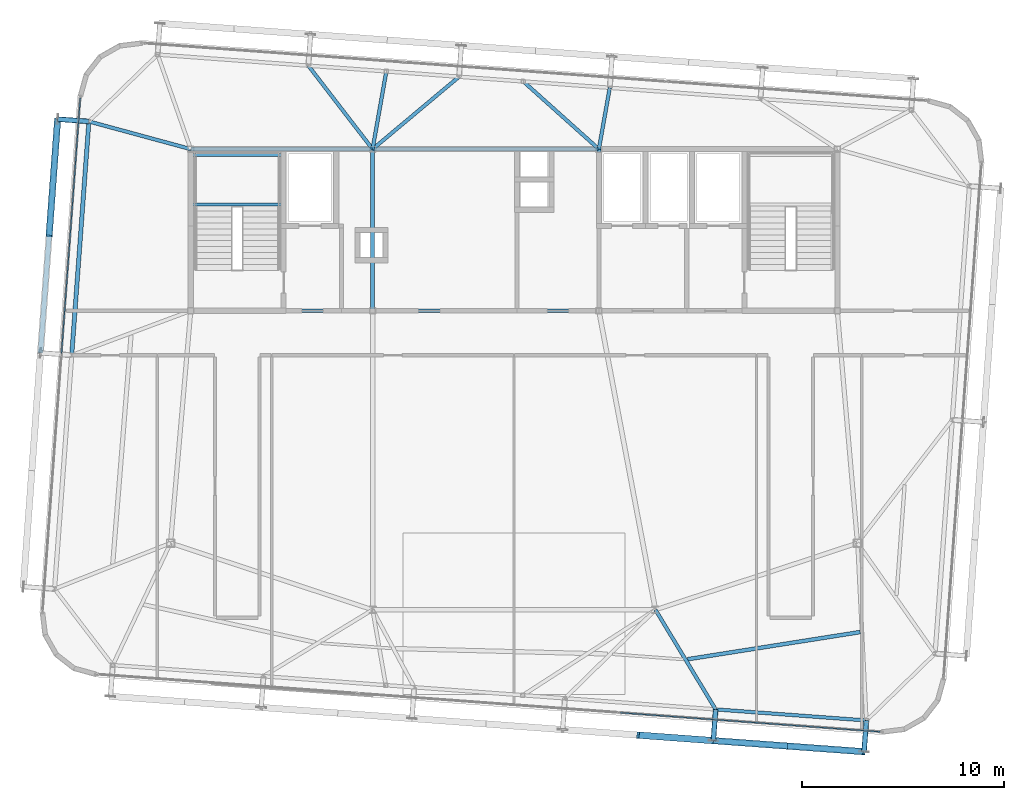
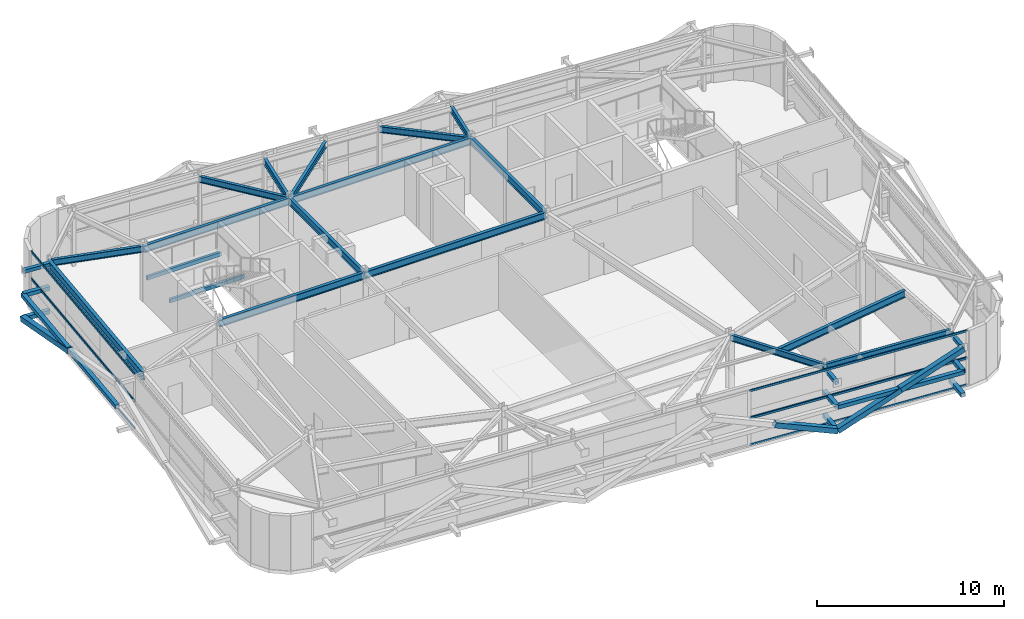
# One storey, part 14 of 35: 23 members, 18 beams, 4 elements without a shape of their own.
"""IFC4 building model written with IfcOpenShell, lengths in metres."""

from ifc_helpers import new_model, si_unit, direction, frame, origin, origin_2d, place, context, subcontext, project, spatial, hollow_rectangle, i_section, extrude, source, transform, mapped, material, layer, layer_set, material_profile, profile_set, type_object, element, aggregate, save


model = new_model("IFC4")

# Units and contexts
model_context = context("Model", 3, precision=1e-05, world=origin(), true_north=direction((0.0, 1.0)))
body_context = subcontext(model_context, "Body", "Model", "MODEL_VIEW")
ifc_project = project(units=[si_unit("LENGTHUNIT", "METRE"), si_unit("AREAUNIT", "SQUARE_METRE"), si_unit("VOLUMEUNIT", "CUBIC_METRE"), si_unit("PLANEANGLEUNIT", "RADIAN"), si_unit("MASSUNIT", "GRAM", prefix="KILO")], contexts=[model_context])

# Site, building, storey
site_placement = place(None, origin())
site = spatial("IfcSite", under=ifc_project, at=site_placement, CompositionType="ELEMENT")
building_placement = place(site_placement, origin())
building = spatial("IfcBuilding", under=site, at=building_placement, Name="Taldren Reach Tower", CompositionType="ELEMENT")
storey_placement = place(building_placement, frame((0.0, 0.0, 249.199951171875)))
storey = spatial("IfcBuildingStorey", under=building, at=storey_placement, Name="L76", CompositionType="ELEMENT", Elevation=249.199951171875)

# Beams
ifc_material_1 = material(Name="Steel Gr 350 (350PLUS)", Category="steel")
ifc_material_profile_1 = material_profile(ifc_material_1, i_section(OverallWidth=0.19091796875, OverallDepth=0.4599609375, WebThickness=0.010009765625, FlangeThickness=0.01611328125, at=origin_2d()), Name="460UB82.1")
ifc_profile_set_1 = profile_set([ifc_material_profile_1], Name="Steel Gr 350 (350PLUS)")
beam_type_1 = type_object("IfcBeamType", Name="BM-UB460A", PredefinedType="BEAM", material=ifc_profile_set_1)
shared_shape_1 = source(origin(), body_context, "Body", "SweptSolid", [
    extrude(i_section(OverallWidth=0.19091796875, OverallDepth=0.4599609375, WebThickness=0.010009765625, FlangeThickness=0.01611328125, at=origin_2d()), origin(), (0.0, 0.0, 1.0), 9.0),
])
for number, where, z_axis, x_axis, name in (
    (1, (19.0, 24.0, 3.340087890625), (1.0, 0.0, 0.0), (0.0, 1.0, 0.0), "Core-spine girder L76-SP01"),
    (2, (19.0, 32.0, 3.340087890625), (1.0, 0.0, 0.0), (0.0, 1.0, 0.0), "Core-spine girder L76-SP04"),
):
    element("IfcBeam", number, at=place(storey_placement, frame(where, z_axis=z_axis, x_axis=x_axis)), inside=storey, type_object=beam_type_1, Name=name, PredefinedType="BEAM", context=body_context, shape_type="MappedRepresentation", body=[
        mapped(shared_shape_1, transform((0.0, 0.0, 0.0), scale=1.0)),
    ])
shared_shape_2 = source(origin(), body_context, "Body", "SweptSolid", [
    extrude(i_section(OverallWidth=0.19091796875, OverallDepth=0.4599609375, WebThickness=0.010009765625, FlangeThickness=0.01611328125, at=origin_2d()), origin(), (0.0, 0.0, 1.0), 11.199951171875),
])
for number, where, z_axis, x_axis, name in (
    (3, (28.0, 24.0, 3.340087890625), (1.0, 0.0, 0.0), (0.0, 1.0, 0.0), "Core-spine girder L76-SP02"),
    (4, (28.0, 32.0, 3.340087890625), (1.0, 0.0, 0.0), (0.0, 1.0, 0.0), "Core-spine girder L76-SP05"),
):
    element("IfcBeam", number, at=place(storey_placement, frame(where, z_axis=z_axis, x_axis=x_axis)), inside=storey, type_object=beam_type_1, Name=name, PredefinedType="BEAM", context=body_context, shape_type="MappedRepresentation", body=[
        mapped(shared_shape_2, transform((0.0, 0.0, 0.0), scale=1.0)),
    ])
shared_shape_3 = source(origin(), body_context, "Body", "SweptSolid", [
    extrude(i_section(OverallWidth=0.19091796875, OverallDepth=0.4599609375, WebThickness=0.010009765625, FlangeThickness=0.01611328125, at=origin_2d()), origin(), (0.0, 0.0, 1.0), 8.0),
])
for number, where, z_axis, x_axis, name in (
    (5, (28.0, 24.0, 3.340087890625), (0.0, 1.0, 0.0), (-1.0, 0.0, 0.0), "Core-spine girder L76-SP07"),
    (6, (39.199951171875, 24.0, 3.340087890625), (0.0, 1.0, 0.0), (-1.0, 0.0, 0.0), "Core-spine girder L76-SP08"),
):
    element("IfcBeam", number, at=place(storey_placement, frame(where, z_axis=z_axis, x_axis=x_axis)), inside=storey, type_object=beam_type_1, Name=name, PredefinedType="BEAM", context=body_context, shape_type="MappedRepresentation", body=[
        mapped(shared_shape_3, transform((0.0, 0.0, 0.0), scale=1.0)),
    ])

# Members
ifc_material_2 = material(Name="Steel Gr 350 (C350L0)", Category="steel")
ifc_material_profile_2 = material_profile(ifc_material_2, hollow_rectangle(XDim=0.25, YDim=0.25, WallThickness=0.010009765625, at=origin_2d()), Name="250x250x10.0SHS")
ifc_profile_set_2 = profile_set([ifc_material_profile_2], Name="Steel Gr 350 (C350L0)")
member_type_1 = type_object("IfcMemberType", Name="MB-POST250", PredefinedType="POST", material=ifc_profile_set_2)
shared_shape_4 = source(origin(), body_context, "Body", "SweptSolid", [
    extrude(hollow_rectangle(XDim=0.25, YDim=0.25, WallThickness=0.010009765625, at=origin_2d()), origin(), (0.0, 0.0, 1.0), 1.550048828125),
])
for number, where, z_axis, x_axis, name in (
    (7, (44.980224609375, 4.26904296875, 0.219970703125), (-0.07323929162, -0.997314396849, 0.0), (0.997314396849, -0.07323929162, 0.0), "Exoskeleton base diaphragm tie strut B5-S5 L76"),
    (8, (52.440185546875, 3.72119140625, 0.219970703125), (-0.07323929162, -0.997314396849, 0.0), (0.997314396849, -0.07323929162, 0.0), "Exoskeleton base diaphragm tie strut B5-S6 L76"),
    (9, (44.980224609375, 4.26904296875, 1.755126953125), (-0.07323929162, -0.997314396849, 0.0), (0.997314396849, -0.07323929162, 0.0), "Exoskeleton mid-tier diaphragm tie B5-S5 L76"),
    (10, (52.440185546875, 3.72119140625, 1.755126953125), (-0.07323929162, -0.997314396849, 0.0), (0.997314396849, -0.07323929162, 0.0), "Exoskeleton mid-tier diaphragm tie B5-S6 L76"),
):
    element("IfcMember", number, at=place(storey_placement, frame(where, z_axis=z_axis, x_axis=x_axis)), inside=storey, type_object=member_type_1, Name=name, PredefinedType="POST", context=body_context, shape_type="MappedRepresentation", body=[
        mapped(shared_shape_4, transform((0.0, 0.0, 0.0), scale=1.0)),
    ])
ifc_material_3 = material(Name="Steel Gr 450 (C450L0)", Category="steel")
ifc_material_profile_3 = material_profile(ifc_material_3, hollow_rectangle(XDim=0.219970703125, YDim=0.219970703125, WallThickness=0.00830078125, at=origin_2d()), Name="220x220x8.2SHS")
ifc_profile_set_3 = profile_set([ifc_material_profile_3], Name="Steel Gr 450 (C450L0)")
member_type_2 = type_object("IfcMemberType", Name="MB-TIE219", PredefinedType="STRUT", material=ifc_profile_set_3)
shared_shape_5 = source(origin(), body_context, "Body", "SweptSolid", [
    extrude(hollow_rectangle(XDim=0.219970703125, YDim=0.219970703125, WallThickness=0.00830078125, at=origin_2d()), origin(), (0.0, 0.0, 1.0), 1.550048828125),
])
for number, where, z_axis, x_axis, name in (
    (11, (44.980224609375, 4.26904296875, 3.2900390625), (-0.07323929162, -0.997314396849, 0.0), (0.997314396849, -0.07323929162, 0.0), "Exoskeleton diaphragm tie strut B5-S5 L76"),
    (12, (52.440185546875, 3.72119140625, 3.2900390625), (-0.07323929162, -0.997314396849, 0.0), (0.997314396849, -0.07323929162, 0.0), "Exoskeleton diaphragm tie strut B5-S6 L76"),
):
    element("IfcMember", number, at=place(storey_placement, frame(where, z_axis=z_axis, x_axis=x_axis)), inside=storey, type_object=member_type_2, Name=name, PredefinedType="STRUT", context=body_context, shape_type="MappedRepresentation", body=[
        mapped(shared_shape_5, transform((0.0, 0.0, 0.0), scale=1.0)),
    ])

# Beams
ifc_material_profile_4 = material_profile(ifc_material_1, i_section(OverallWidth=0.172119140625, OverallDepth=0.35888671875, WebThickness=0.008056640625, FlangeThickness=0.012939453125, at=origin_2d()), Name="360UB56.7")
ifc_profile_set_4 = profile_set([ifc_material_profile_4], Name="Steel Gr 350 (350PLUS)")
beam_type_2 = type_object("IfcBeamType", Name="SP-UB360", PredefinedType="SPANDREL", material=ifc_profile_set_4)
shared_shape_6 = source(origin(), body_context, "Body", "SweptSolid", [
    extrude(i_section(OverallWidth=0.172119140625, OverallDepth=0.35888671875, WebThickness=0.008056640625, FlangeThickness=0.012939453125, at=origin_2d()), origin(), (0.0, 0.0, 1.0), 7.47998046875),
])
beam_1_placement = place(storey_placement, frame((44.980224609375, 4.26904296875, 3.390625), z_axis=(0.997314220642, -0.07324169103, 0.0), x_axis=(0.07324169103, 0.997314220642, 0.0)))
element("IfcBeam", 13, at=beam_1_placement, inside=storey, type_object=beam_type_2, Name="Perimeter spandrel B5 S5-S6 L76", PredefinedType="SPANDREL", context=body_context, shape_type="MappedRepresentation", body=[
    mapped(shared_shape_6, transform((0.0, 0.0, 0.0), scale=1.0)),
])
ifc_material_profile_5 = material_profile(ifc_material_1, i_section(OverallWidth=0.208984375, OverallDepth=0.528076171875, WebThickness=0.009521484375, FlangeThickness=0.01318359375, at=origin_2d()), Name="530UB82.0")
ifc_profile_set_5 = profile_set([ifc_material_profile_5], Name="Steel Gr 350 (350PLUS)")
beam_type_3 = type_object("IfcBeamType", Name="SP-UB530B", PredefinedType="SPANDREL", material=ifc_profile_set_5)
shared_shape_7 = source(origin(), body_context, "Body", "SweptSolid", [
    extrude(i_section(OverallWidth=0.208984375, OverallDepth=0.528076171875, WebThickness=0.009521484375, FlangeThickness=0.01318359375, at=origin_2d()), origin(), (0.0, 0.0, 1.0), 11.60009765625),
])
beam_2_placement = place(storey_placement, frame((13.958251953125, 33.369140625, 3.30615234375), z_axis=(-0.073242167855, -0.997314185625, 0.0), x_axis=(0.997314185625, -0.073242167855, 0.0)))
element("IfcBeam", 14, at=beam_2_placement, inside=storey, type_object=beam_type_3, Name="Perimeter spandrel B5 W3-W2 L76", PredefinedType="SPANDREL", context=body_context, shape_type="MappedRepresentation", body=[
    mapped(shared_shape_7, transform((0.0, 0.0, 0.0), scale=1.0)),
])
ifc_material_profile_6 = material_profile(ifc_material_1, i_section(OverallWidth=0.177978515625, OverallDepth=0.406005859375, WebThickness=0.0078125, FlangeThickness=0.0126953125, at=origin_2d()), Name="410UB59.7")
ifc_profile_set_6 = profile_set([ifc_material_profile_6], Name="Steel Gr 350 (350PLUS)")
beam_type_4 = type_object("IfcBeamType", Name="BM-UB410", PredefinedType="BEAM", material=ifc_profile_set_6)
shared_shape_8 = source(origin(), body_context, "Body", "SweptSolid", [
    extrude(i_section(OverallWidth=0.177978515625, OverallDepth=0.406005859375, WebThickness=0.0078125, FlangeThickness=0.0126953125, at=origin_2d()), origin(), (0.0, 0.0, 1.0), 5.761474609375),
])
beam_3_placement = place(storey_placement, frame((42.0, 9.199951171875, 3.366943359375), z_axis=(0.517259852514, -0.855828396922, 0.0), x_axis=(0.855828396922, 0.517259852514, 0.0)))
element("IfcBeam", 15, at=beam_3_placement, inside=storey, type_object=beam_type_4, Name="Primary floor girder B5-S5 L76", PredefinedType="BEAM", context=body_context, shape_type="MappedRepresentation", body=[
    mapped(shared_shape_8, transform((0.0, 0.0, 0.0), scale=1.0)),
])
shared_shape_9 = source(origin(), body_context, "Body", "SweptSolid", [
    extrude(i_section(OverallWidth=0.177978515625, OverallDepth=0.406005859375, WebThickness=0.0078125, FlangeThickness=0.0126953125, at=origin_2d()), origin(), (0.0, 0.0, 1.0), 3.0830078125),
])
beam_4_placement = place(storey_placement, frame((39.199951171875, 32.0, 3.366943359375), z_axis=(0.17500945263, 0.984566753191, 0.0), x_axis=(-0.984566753191, 0.17500945263, 0.0)))
element("IfcBeam", 16, at=beam_4_placement, inside=storey, type_object=beam_type_4, Name="Primary floor girder B5-N4 L76", PredefinedType="BEAM", context=body_context, shape_type="MappedRepresentation", body=[
    mapped(shared_shape_9, transform((0.0, 0.0, 0.0), scale=1.0)),
])
shared_shape_10 = source(origin(), body_context, "Body", "SweptSolid", [
    extrude(i_section(OverallWidth=0.177978515625, OverallDepth=0.406005859375, WebThickness=0.0078125, FlangeThickness=0.0126953125, at=origin_2d()), origin(), (0.0, 0.0, 1.0), 5.02001953125),
])
beam_5_placement = place(storey_placement, frame((39.199951171875, 32.0, 3.366943359375), z_axis=(-0.744827782377, 0.667256753132, 0.0), x_axis=(-0.667256753132, -0.744827782377, 0.0)))
element("IfcBeam", 17, at=beam_5_placement, inside=storey, type_object=beam_type_4, Name="Primary floor girder B5-PJN2 L76", PredefinedType="BEAM", context=body_context, shape_type="MappedRepresentation", body=[
    mapped(shared_shape_10, transform((0.0, 0.0, 0.0), scale=1.0)),
])
shared_shape_11 = source(origin(), body_context, "Body", "SweptSolid", [
    extrude(i_section(OverallWidth=0.177978515625, OverallDepth=0.406005859375, WebThickness=0.0078125, FlangeThickness=0.0126953125, at=origin_2d()), origin(), (0.0, 0.0, 1.0), 5.58154296875),
])
beam_6_placement = place(storey_placement, frame((28.0, 32.0, 3.366943359375), z_axis=(0.766724126108, 0.641976724222, 0.0), x_axis=(-0.641976724222, 0.766724126108, 0.0)))
element("IfcBeam", 18, at=beam_6_placement, inside=storey, type_object=beam_type_4, Name="Primary floor girder B5-N3 L76", PredefinedType="BEAM", context=body_context, shape_type="MappedRepresentation", body=[
    mapped(shared_shape_11, transform((0.0, 0.0, 0.0), scale=1.0)),
])
shared_shape_12 = source(origin(), body_context, "Body", "SweptSolid", [
    extrude(i_section(OverallWidth=0.177978515625, OverallDepth=0.406005859375, WebThickness=0.0078125, FlangeThickness=0.0126953125, at=origin_2d()), origin(), (0.0, 0.0, 1.0), 3.9072265625),
])
beam_7_placement = place(storey_placement, frame((28.0, 32.0, 3.366943359375), z_axis=(0.173835238379, 0.984774750843, 0.0), x_axis=(-0.984774750843, 0.173835238379, 0.0)))
element("IfcBeam", 19, at=beam_7_placement, inside=storey, type_object=beam_type_4, Name="Primary floor girder B5-PJN1 L76", PredefinedType="BEAM", context=body_context, shape_type="MappedRepresentation", body=[
    mapped(shared_shape_12, transform((0.0, 0.0, 0.0), scale=1.0)),
])
shared_shape_13 = source(origin(), body_context, "Body", "SweptSolid", [
    extrude(i_section(OverallWidth=0.177978515625, OverallDepth=0.406005859375, WebThickness=0.0078125, FlangeThickness=0.0126953125, at=origin_2d()), origin(), (0.0, 0.0, 1.0), 5.213623046875),
])
beam_8_placement = place(storey_placement, frame((28.0, 32.0, 3.366943359375), z_axis=(-0.61002980411, 0.792378468976, 0.0), x_axis=(-0.792378468976, -0.61002980411, 0.0)))
element("IfcBeam", 20, at=beam_8_placement, inside=storey, type_object=beam_type_4, Name="Primary floor girder B5-N2 L76", PredefinedType="BEAM", context=body_context, shape_type="MappedRepresentation", body=[
    mapped(shared_shape_13, transform((0.0, 0.0, 0.0), scale=1.0)),
])
shared_shape_14 = source(origin(), body_context, "Body", "SweptSolid", [
    extrude(i_section(OverallWidth=0.177978515625, OverallDepth=0.406005859375, WebThickness=0.0078125, FlangeThickness=0.0126953125, at=origin_2d()), origin(), (0.0, 0.0, 1.0), 5.224365234375),
])
beam_9_placement = place(storey_placement, frame((19.0, 32.0, 3.366943359375), z_axis=(-0.965049032336, 0.262069390022, 0.0), x_axis=(-0.262069390022, -0.965049032336, 0.0)))
element("IfcBeam", 21, at=beam_9_placement, inside=storey, type_object=beam_type_4, Name="Primary floor girder B5-W3 L76", PredefinedType="BEAM", context=body_context, shape_type="MappedRepresentation", body=[
    mapped(shared_shape_14, transform((0.0, 0.0, 0.0), scale=1.0)),
])
shared_shape_15 = source(origin(), body_context, "Body", "SweptSolid", [
    extrude(i_section(OverallWidth=0.19091796875, OverallDepth=0.4599609375, WebThickness=0.010009765625, FlangeThickness=0.01611328125, at=origin_2d()), origin(), (0.0, 0.0, 1.0), 8.65185546875),
])
beam_10_placement = place(storey_placement, frame((43.585205078125, 6.74951171875, 3.340087890625), z_axis=(0.987803200413, 0.155707537562, 0.0), x_axis=(-0.155707537562, 0.987803200413, 0.0)))
element("IfcBeam", 22, at=beam_10_placement, inside=storey, type_object=beam_type_1, Name="Secondary floor beam B5 J5 L76", PredefinedType="BEAM", context=body_context, shape_type="MappedRepresentation", body=[
    mapped(shared_shape_15, transform((0.0, 0.0, 0.0), scale=1.0)),
])

# Members
shared_shape_16 = source(origin(), body_context, "Body", "SweptSolid", [
    extrude(hollow_rectangle(XDim=0.219970703125, YDim=0.219970703125, WallThickness=0.00830078125, at=origin_2d()), origin(), (0.0, 0.0, 1.0), 1.5458984375),
])
member_1_placement = place(storey_placement, frame((13.9541015625, 33.369384765625, 3.2900390625), z_axis=(-0.997311530447, 0.073278313559, 0.0), x_axis=(-0.073278313559, -0.997311530447, 0.0)))
element("IfcMember", 23, at=member_1_placement, inside=storey, type_object=member_type_2, Name="Exoskeleton diaphragm tie strut B5-W3 L76", PredefinedType="STRUT", context=body_context, shape_type="MappedRepresentation", body=[
    mapped(shared_shape_16, transform((0.0, 0.0, 0.0), scale=1.0)),
])
shared_shape_17 = source(origin(), body_context, "Body", "SweptSolid", [
    extrude(hollow_rectangle(XDim=0.25, YDim=0.25, WallThickness=0.010009765625, at=origin_2d()), origin(), (0.0, 0.0, 1.0), 7.47998046875),
])
member_2_placement = place(storey_placement, frame((44.86669921875, 2.72314453125, 1.755126953125), z_axis=(0.997314220642, -0.07324169103, 0.0), x_axis=(0.07324169103, 0.997314220642, 0.0)))
element("IfcMember", 24, at=member_2_placement, inside=storey, type_object=member_type_1, Name="Exoskeleton mid-height ring chord B5-S5 L76", PredefinedType="POST", context=body_context, shape_type="MappedRepresentation", body=[
    mapped(shared_shape_17, transform((0.0, 0.0, 0.0), scale=1.0)),
])
shared_shape_18 = source(origin(), body_context, "Body", "SweptSolid", [
    extrude(hollow_rectangle(XDim=0.25, YDim=0.25, WallThickness=0.010009765625, at=origin_2d()), origin(), (0.0, 0.0, 1.0), 11.60009765625),
])
member_3_placement = place(storey_placement, frame((11.562744140625, 21.913818359375, 1.755126953125), z_axis=(0.073242167855, 0.997314185625, 0.0), x_axis=(-0.997314185625, 0.073242167855, 0.0)))
element("IfcMember", 25, at=member_3_placement, inside=storey, type_object=member_type_1, Name="Exoskeleton mid-height ring chord B5-W2 L76", PredefinedType="POST", context=body_context, shape_type="MappedRepresentation", body=[
    mapped(shared_shape_18, transform((0.0, 0.0, 0.0), scale=1.0)),
])
shared_shape_19 = source(origin(), body_context, "Body", "SweptSolid", [
    extrude(hollow_rectangle(XDim=0.25, YDim=0.25, WallThickness=0.010009765625, at=origin_2d()), origin(), (0.0, 0.0, 1.0), 1.5458984375),
])
for number, where, z_axis, x_axis, name in (
    (26, (13.9541015625, 33.369384765625, 0.219970703125), (-0.997311530447, 0.073278313559, 0.0), (-0.073278313559, -0.997311530447, 0.0), "Exoskeleton base diaphragm tie strut B5-W3 L76"),
    (27, (13.9541015625, 33.369384765625, 1.755126953125), (-0.997311530447, 0.073278313559, 0.0), (-0.073278313559, -0.997311530447, 0.0), "Exoskeleton mid-tier diaphragm tie B5-W3 L76"),
):
    element("IfcMember", number, at=place(storey_placement, frame(where, z_axis=z_axis, x_axis=x_axis)), inside=storey, type_object=member_type_1, Name=name, PredefinedType="POST", context=body_context, shape_type="MappedRepresentation", body=[
        mapped(shared_shape_19, transform((0.0, 0.0, 0.0), scale=1.0)),
    ])
ifc_material_profile_7 = material_profile(ifc_material_3, hollow_rectangle(XDim=0.324951171875, YDim=0.324951171875, WallThickness=0.0126953125, at=origin_2d()), Name="325x325x12.7SHS")
ifc_profile_set_7 = profile_set([ifc_material_profile_7], Name="Steel Gr 450 (C450L0)")
member_type_3 = type_object("IfcMemberType", Name="MB-BR324", PredefinedType="BRACE", material=ifc_profile_set_7)
shared_shape_20 = source(origin(), body_context, "Body", "SweptSolid", [
    extrude(hollow_rectangle(XDim=0.324951171875, YDim=0.324951171875, WallThickness=0.0126953125, at=origin_2d()), origin(), (0.0, 0.0, 1.0), 4.042724609375),
])
for number, where, z_axis, x_axis, name in (
    (28, (44.86669921875, 2.72314453125, 0.219970703125), (-0.922615641565, 0.067755907176, 0.37972294503), (-0.07324169103, -0.997314220642, 0.0), "Exoskeleton Diagrid Brace B5-S4 L76"),
    (29, (44.86669921875, 2.72314453125, 0.219970703125), (0.922615641565, -0.067755907176, 0.37972294503), (0.07324169103, 0.997314220642, 0.0), "Exoskeleton Diagrid Brace B5-S5 L76"),
    (30, (48.5966796875, 2.44921875, 1.755126953125), (0.92263679702, -0.06775746081, 0.379671262133), (0.07324169103, 0.997314220642, 0.0), "Exoskeleton Diagrid Brace B5-S5 L76"),
):
    element("IfcMember", number, at=place(storey_placement, frame(where, z_axis=z_axis, x_axis=x_axis)), inside=storey, type_object=member_type_3, Name=name, PredefinedType="BRACE", context=body_context, shape_type="MappedRepresentation", body=[
        mapped(shared_shape_20, transform((0.0, 0.0, 0.0), scale=1.0)),
    ])
shared_shape_21 = source(origin(), body_context, "Body", "SweptSolid", [
    extrude(hollow_rectangle(XDim=0.324951171875, YDim=0.324951171875, WallThickness=0.0126953125, at=origin_2d()), origin(), (0.0, 0.0, 1.0), 5.999755859375),
])
member_4_placement = place(storey_placement, frame((12.412353515625, 33.482666015625, 0.219970703125), z_axis=(-0.070804004127, -0.964114522864, 0.255871021811), x_axis=(0.997314185625, -0.073242167855, 0.0)))
element("IfcMember", 31, at=member_4_placement, inside=storey, type_object=member_type_3, Name="Exoskeleton Diagrid Brace B5-W2 L76", PredefinedType="BRACE", context=body_context, shape_type="MappedRepresentation", body=[
    mapped(shared_shape_21, transform((0.0, 0.0, 0.0), scale=1.0)),
])

# Curtain wall, members
ifc_material_4 = material(Name="Aluminium and Low-E Glass Unitised System", Category="aluminium")
ifc_layer = layer(ifc_material_4, 0.159912109375)
ifc_layer_set = layer_set([ifc_layer], Name="Aluminium and Low-E Glass Unitised System")
curtain_wall_type = type_object("IfcCurtainWallType", Name="CW-SYS-6", PredefinedType="NOTDEFINED", material=ifc_layer_set)
curtain_wall_1_placement = place(storey_placement, origin())
curtain_wall_1 = element("IfcCurtainWall", 32, at=curtain_wall_1_placement, inside=storey, type_object=curtain_wall_type, Name="Unitised curtain wall CW-L76-S", PredefinedType="NOTDEFINED")
ifc_material_5 = material(Name="Anodised Aluminium 6063-T6", Category="aluminium")
ifc_material_profile_8 = material_profile(ifc_material_5, hollow_rectangle(XDim=0.06005859375, YDim=0.135009765625, WallThickness=0.00341796875, at=origin_2d()), Name="ALU-135x60x3.5RHS")
ifc_profile_set_8 = profile_set([ifc_material_profile_8], Name="Anodised Aluminium 6063-T6")
member_type_4 = type_object("IfcMemberType", Name="CW-TRN-150", PredefinedType="USERDEFINED", material=ifc_profile_set_8)
shared_shape_22 = source(origin(), body_context, "Body", "SweptSolid", [
    extrude(hollow_rectangle(XDim=0.06005859375, YDim=0.135009765625, WallThickness=0.00341796875, at=origin_2d()), origin(), (0.0, 0.0, 1.0), 12.8876953125),
])
member_5_placement = place(storey_placement, frame((40.27294921875, 4.103271484375, 0.030029296875), z_axis=(0.997314588711, -0.073236678949, 0.0), x_axis=(0.073236678949, 0.997314588711, 0.0)))
member_5 = element("IfcMember", 33, at=member_5_placement, type_object=member_type_4, Name="CW-6 transom 3.1", ObjectType="TRANSOM", PredefinedType="USERDEFINED", context=body_context, shape_type="MappedRepresentation", body=[
    mapped(shared_shape_22, transform((0.0, 0.0, 0.0), scale=1.0)),
])
member_6_placement = place(storey_placement, frame((40.27294921875, 4.103271484375, 1.755126953125), z_axis=(0.997314588711, -0.073236678949, 0.0), x_axis=(0.073236678949, 0.997314588711, 0.0)))
member_6 = element("IfcMember", 34, at=member_6_placement, type_object=member_type_4, Name="CW-6 transom 3.2", ObjectType="TRANSOM", PredefinedType="USERDEFINED", context=body_context, shape_type="MappedRepresentation", body=[
    mapped(shared_shape_22, transform((0.0, 0.0, 0.0), scale=1.0)),
])
aggregate(curtain_wall_1, [member_5, member_6])

curtain_wall_2_placement = place(storey_placement, origin())
curtain_wall_2 = element("IfcCurtainWall", 35, at=curtain_wall_2_placement, inside=storey, type_object=curtain_wall_type, Name="Unitised curtain wall CW-L76-S-T2", PredefinedType="NOTDEFINED")
member_7_placement = place(storey_placement, frame((40.27294921875, 4.103271484375, 1.81494140625), z_axis=(0.997314588711, -0.073236678949, 0.0), x_axis=(0.073236678949, 0.997314588711, 0.0)))
member_7 = element("IfcMember", 36, at=member_7_placement, type_object=member_type_4, Name="CW-6 transom 3.1", ObjectType="TRANSOM", PredefinedType="USERDEFINED", context=body_context, shape_type="MappedRepresentation", body=[
    mapped(shared_shape_22, transform((0.0, 0.0, 0.0), scale=1.0)),
])
member_8_placement = place(storey_placement, frame((40.27294921875, 4.103271484375, 3.5400390625), z_axis=(0.997314588711, -0.073236678949, 0.0), x_axis=(0.073236678949, 0.997314588711, 0.0)))
member_8 = element("IfcMember", 37, at=member_8_placement, type_object=member_type_4, Name="CW-6 transom 3.2", ObjectType="TRANSOM", PredefinedType="USERDEFINED", context=body_context, shape_type="MappedRepresentation", body=[
    mapped(shared_shape_22, transform((0.0, 0.0, 0.0), scale=1.0)),
])
aggregate(curtain_wall_2, [member_7, member_8])

curtain_wall_3_placement = place(storey_placement, origin())
curtain_wall_3 = element("IfcCurtainWall", 38, at=curtain_wall_3_placement, inside=storey, type_object=curtain_wall_type, Name="Unitised curtain wall CW-L76-W", PredefinedType="NOTDEFINED")
shared_shape_23 = source(origin(), body_context, "Body", "SweptSolid", [
    extrude(hollow_rectangle(XDim=0.06005859375, YDim=0.135009765625, WallThickness=0.00341796875, at=origin_2d()), origin(), (0.0, 0.0, 1.0), 12.6875),
])
member_9_placement = place(storey_placement, frame((13.531982421875, 34.5283203125, 0.030029296875), z_axis=(-0.073237997916, -0.997314491854, 0.0), x_axis=(0.997314491854, -0.073237997916, 0.0)))
member_9 = element("IfcMember", 39, at=member_9_placement, type_object=member_type_4, Name="CW-6 transom 1.1", ObjectType="TRANSOM", PredefinedType="USERDEFINED", context=body_context, shape_type="MappedRepresentation", body=[
    mapped(shared_shape_23, transform((0.0, 0.0, 0.0), scale=1.0)),
])
member_10_placement = place(storey_placement, frame((13.531982421875, 34.5283203125, 1.755126953125), z_axis=(-0.073237997916, -0.997314491854, 0.0), x_axis=(0.997314491854, -0.073237997916, 0.0)))
member_10 = element("IfcMember", 40, at=member_10_placement, type_object=member_type_4, Name="CW-6 transom 1.2", ObjectType="TRANSOM", PredefinedType="USERDEFINED", context=body_context, shape_type="MappedRepresentation", body=[
    mapped(shared_shape_23, transform((0.0, 0.0, 0.0), scale=1.0)),
])
aggregate(curtain_wall_3, [member_9, member_10])

curtain_wall_4_placement = place(storey_placement, origin())
curtain_wall_4 = element("IfcCurtainWall", 41, at=curtain_wall_4_placement, inside=storey, type_object=curtain_wall_type, Name="Unitised curtain wall CW-L76-W-T2", PredefinedType="NOTDEFINED")
member_11_placement = place(storey_placement, frame((13.531982421875, 34.5283203125, 1.81494140625), z_axis=(-0.073237997916, -0.997314491854, 0.0), x_axis=(0.997314491854, -0.073237997916, 0.0)))
member_11 = element("IfcMember", 42, at=member_11_placement, type_object=member_type_4, Name="CW-6 transom 1.1", ObjectType="TRANSOM", PredefinedType="USERDEFINED", context=body_context, shape_type="MappedRepresentation", body=[
    mapped(shared_shape_23, transform((0.0, 0.0, 0.0), scale=1.0)),
])
member_12_placement = place(storey_placement, frame((13.531982421875, 34.5283203125, 3.5400390625), z_axis=(-0.073237997916, -0.997314491854, 0.0), x_axis=(0.997314491854, -0.073237997916, 0.0)))
member_12 = element("IfcMember", 43, at=member_12_placement, type_object=member_type_4, Name="CW-6 transom 1.2", ObjectType="TRANSOM", PredefinedType="USERDEFINED", context=body_context, shape_type="MappedRepresentation", body=[
    mapped(shared_shape_23, transform((0.0, 0.0, 0.0), scale=1.0)),
])
aggregate(curtain_wall_4, [member_11, member_12])

# Beams
ifc_material_profile_9 = material_profile(ifc_material_2, hollow_rectangle(XDim=0.14990234375, YDim=0.25, WallThickness=0.009033203125, at=origin_2d()), Name="250x150x9.0RHS")
ifc_profile_set_9 = profile_set([ifc_material_profile_9], Name="Steel Gr 350 (C350L0)")
beam_type_5 = type_object("IfcBeamType", Name="LN-RHS250", PredefinedType="LINTEL", material=ifc_profile_set_9)
shared_shape_24 = source(origin(), body_context, "Body", "SweptSolid", [
    extrude(hollow_rectangle(XDim=0.14990234375, YDim=0.25, WallThickness=0.009033203125, at=origin_2d()), origin(), (0.0, 0.0, 1.0), 4.60009765625),
])
for number, where, z_axis, x_axis, name in (
    (44, (19.0, 29.2548828125, 1.6201171875), (1.0, 0.0, 0.0), (0.0, 1.0, 0.0), "Stair half-landing support beam ST1-L76-1"),
    (45, (19.0, 31.699951171875, 1.6201171875), (1.0, 0.0, 0.0), (0.0, 1.0, 0.0), "Stair half-landing support beam ST1-L76-2"),
):
    element("IfcBeam", number, at=place(storey_placement, frame(where, z_axis=z_axis, x_axis=x_axis)), inside=storey, type_object=beam_type_5, Name=name, PredefinedType="LINTEL", context=body_context, shape_type="MappedRepresentation", body=[
        mapped(shared_shape_24, transform((0.0, 0.0, 0.0), scale=1.0)),
    ])

save(model, "model.ifc")
